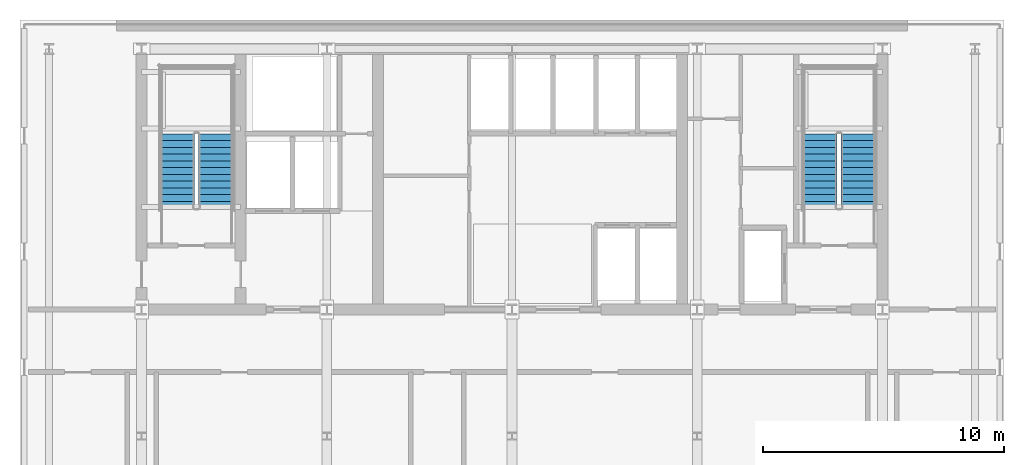
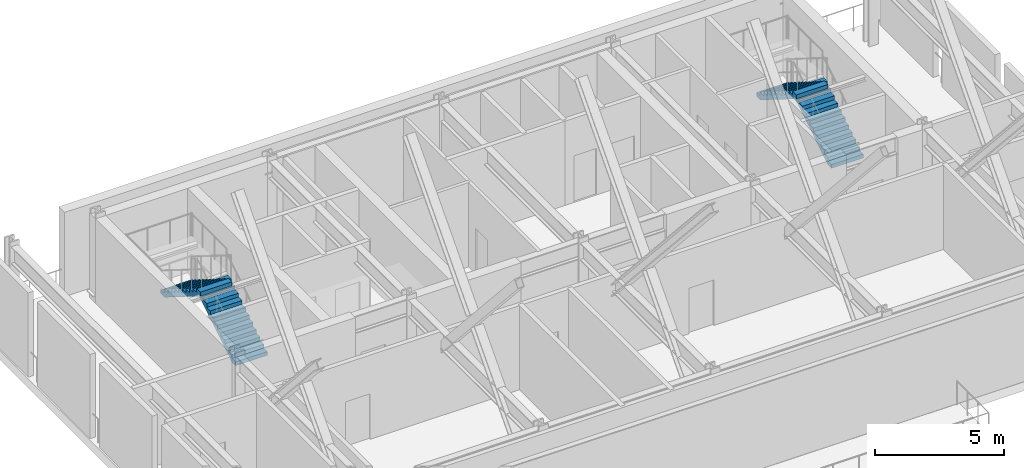
# One storey, part 4 of 8: 4 stair flights, 2 elements without a shape of their own.
"""IFC4 building model written with IfcOpenShell, lengths in metres."""

from ifc_helpers import new_model, si_unit, direction, frame, origin, place, context, subcontext, project, spatial, polyline, outline, extrude, material, type_object, element, aggregate, save


model = new_model("IFC4")

# Units and contexts
model_context = context("Model", 3, precision=1e-05, world=origin(), true_north=direction((0.0, 1.0)))
body_context = subcontext(model_context, "Body", "Model", "MODEL_VIEW")
ifc_project = project(units=[si_unit("LENGTHUNIT", "METRE"), si_unit("AREAUNIT", "SQUARE_METRE"), si_unit("VOLUMEUNIT", "CUBIC_METRE"), si_unit("PLANEANGLEUNIT", "RADIAN"), si_unit("MASSUNIT", "GRAM", prefix="KILO")], contexts=[model_context])

# Site, building, storey
site_placement = place(None, origin())
site = spatial("IfcSite", under=ifc_project, at=site_placement, CompositionType="ELEMENT")
building_placement = place(site_placement, origin())
building = spatial("IfcBuilding", under=site, at=building_placement, Name="Yelkora Congress Tower", CompositionType="ELEMENT")
storey_placement = place(building_placement, frame((0.0, 0.0, 191.89990234375)))
storey = spatial("IfcBuildingStorey", under=building, at=storey_placement, Name="L53", CompositionType="ELEMENT", Elevation=191.89990234375)

# Stair, stair flights
ifc_material = material(Name="Concrete C40/50", Category="concrete")
stair_type = type_object("IfcStairType", Name="STAIR-HT-1420-R24-175", PredefinedType="HALF_TURN_STAIR", material=ifc_material)
stair_1_placement = place(storey_placement, origin())
stair_1 = element("IfcStair", 1, at=stair_1_placement, inside=storey, type_object=stair_type, Name="West Core Protected Exit Stair ST-01 (L53)", PredefinedType="HALF_TURN_STAIR")
stair_flight_type = type_object("IfcStairFlightType", Name="FLIGHT-1420-N12-R175-G280", PredefinedType="STRAIGHT", material=ifc_material)
stair_flight_1_placement = place(storey_placement, frame((26.110107421875, 39.60009765625, 0.0), z_axis=(0.0, 0.0, 1.0), x_axis=(0.0, 1.0, 0.0)))
stair_flight_1 = element("IfcStairFlight", 2, at=stair_flight_1_placement, type_object=stair_flight_type, Name="ST-01 L53 Flight 1", NumberOfRisers=12, NumberOfTreads=11, PredefinedType="STRAIGHT", RiserHeight=0.175, TreadLength=0.28, context=body_context, shape_type="SweptSolid", body=[
    extrude(outline(polyline([(0.0, 0.0), (0.0, 0.175048828125), (0.280029296875, 0.175048828125), (0.280029296875, 0.35009765625), (0.56005859375, 0.35009765625), (0.56005859375, 0.52490234375), (0.840087890625, 0.52490234375), (0.840087890625, 0.699951171875), (1.1201171875, 0.699951171875), (1.1201171875, 0.875), (1.39990234375, 0.875), (1.39990234375, 1.050048828125), (1.679931640625, 1.050048828125), (1.679931640625, 1.22509765625), (1.9599609375, 1.22509765625), (1.9599609375, 1.39990234375), (2.239990234375, 1.39990234375), (2.239990234375, 1.574951171875), (2.52001953125, 1.574951171875), (2.52001953125, 1.75), (2.800048828125, 1.75), (2.800048828125, 1.925048828125), (3.080078125, 1.925048828125), (3.080078125, 2.10009765625), (3.080078125, 1.736328125), (0.3017578125, 0.0), (0.0, 0.0)])), frame((0.0, 0.7099609375, 0.0), z_axis=(0.0, -1.0, 0.0), x_axis=(1.0, 0.0, 0.0)), (0.0, 0.0, 1.0), 1.419921875),
])
stair_flight_2_placement = place(storey_placement, frame((24.530029296875, 42.679931640625, 2.10009765625), z_axis=(0.0, 0.0, 1.0), x_axis=(0.0, -1.0, 0.0)))
stair_flight_2 = element("IfcStairFlight", 3, at=stair_flight_2_placement, type_object=stair_flight_type, Name="ST-01 L53 Flight 2", NumberOfRisers=12, NumberOfTreads=11, PredefinedType="STRAIGHT", RiserHeight=0.175, TreadLength=0.28, context=body_context, shape_type="SweptSolid", body=[
    extrude(outline(polyline([(0.0, 0.0), (0.0, 0.175048828125), (0.280029296875, 0.175048828125), (0.280029296875, 0.35009765625), (0.56005859375, 0.35009765625), (0.56005859375, 0.52490234375), (0.840087890625, 0.52490234375), (0.840087890625, 0.699951171875), (1.1201171875, 0.699951171875), (1.1201171875, 0.875), (1.39990234375, 0.875), (1.39990234375, 1.050048828125), (1.679931640625, 1.050048828125), (1.679931640625, 1.22509765625), (1.9599609375, 1.22509765625), (1.9599609375, 1.39990234375), (2.239990234375, 1.39990234375), (2.239990234375, 1.574951171875), (2.52001953125, 1.574951171875), (2.52001953125, 1.75), (2.800048828125, 1.75), (2.800048828125, 1.925048828125), (3.080078125, 1.925048828125), (3.080078125, 2.10009765625), (3.080078125, 1.736328125), (0.3017578125, 0.0), (0.0, 0.0)])), frame((0.0, 0.7099609375, 0.0), z_axis=(0.0, -1.0, 0.0), x_axis=(1.0, 0.0, 0.0)), (0.0, 0.0, 1.0), 1.419921875),
])
aggregate(stair_1, [stair_flight_1, stair_flight_2])

stair_2_placement = place(storey_placement, origin())
stair_2 = element("IfcStair", 4, at=stair_2_placement, inside=storey, type_object=stair_type, Name="East Core Protected Exit Stair ST-02 (L53)", PredefinedType="HALF_TURN_STAIR")
stair_flight_3_placement = place(storey_placement, frame((52.75, 39.60009765625, 0.0), z_axis=(0.0, 0.0, 1.0), x_axis=(0.0, 1.0, 0.0)))
stair_flight_3 = element("IfcStairFlight", 5, at=stair_flight_3_placement, type_object=stair_flight_type, Name="ST-02 L53 Flight 1", NumberOfRisers=12, NumberOfTreads=11, PredefinedType="STRAIGHT", RiserHeight=0.175, TreadLength=0.28, context=body_context, shape_type="SweptSolid", body=[
    extrude(outline(polyline([(0.0, 0.0), (0.0, 0.175048828125), (0.280029296875, 0.175048828125), (0.280029296875, 0.35009765625), (0.56005859375, 0.35009765625), (0.56005859375, 0.52490234375), (0.840087890625, 0.52490234375), (0.840087890625, 0.699951171875), (1.1201171875, 0.699951171875), (1.1201171875, 0.875), (1.39990234375, 0.875), (1.39990234375, 1.050048828125), (1.679931640625, 1.050048828125), (1.679931640625, 1.22509765625), (1.9599609375, 1.22509765625), (1.9599609375, 1.39990234375), (2.239990234375, 1.39990234375), (2.239990234375, 1.574951171875), (2.52001953125, 1.574951171875), (2.52001953125, 1.75), (2.800048828125, 1.75), (2.800048828125, 1.925048828125), (3.080078125, 1.925048828125), (3.080078125, 2.10009765625), (3.080078125, 1.736328125), (0.3017578125, 0.0), (0.0, 0.0)])), frame((0.0, 0.7099609375, 0.0), z_axis=(0.0, -1.0, 0.0), x_axis=(1.0, 0.0, 0.0)), (0.0, 0.0, 1.0), 1.419921875),
])
stair_flight_4_placement = place(storey_placement, frame((51.169921875, 42.679931640625, 2.10009765625), z_axis=(0.0, 0.0, 1.0), x_axis=(0.0, -1.0, 0.0)))
stair_flight_4 = element("IfcStairFlight", 6, at=stair_flight_4_placement, type_object=stair_flight_type, Name="ST-02 L53 Flight 2", NumberOfRisers=12, NumberOfTreads=11, PredefinedType="STRAIGHT", RiserHeight=0.175, TreadLength=0.28, context=body_context, shape_type="SweptSolid", body=[
    extrude(outline(polyline([(0.0, 0.0), (0.0, 0.175048828125), (0.280029296875, 0.175048828125), (0.280029296875, 0.35009765625), (0.56005859375, 0.35009765625), (0.56005859375, 0.52490234375), (0.840087890625, 0.52490234375), (0.840087890625, 0.699951171875), (1.1201171875, 0.699951171875), (1.1201171875, 0.875), (1.39990234375, 0.875), (1.39990234375, 1.050048828125), (1.679931640625, 1.050048828125), (1.679931640625, 1.22509765625), (1.9599609375, 1.22509765625), (1.9599609375, 1.39990234375), (2.239990234375, 1.39990234375), (2.239990234375, 1.574951171875), (2.52001953125, 1.574951171875), (2.52001953125, 1.75), (2.800048828125, 1.75), (2.800048828125, 1.925048828125), (3.080078125, 1.925048828125), (3.080078125, 2.10009765625), (3.080078125, 1.736328125), (0.3017578125, 0.0), (0.0, 0.0)])), frame((0.0, 0.7099609375, 0.0), z_axis=(0.0, -1.0, 0.0), x_axis=(1.0, 0.0, 0.0)), (0.0, 0.0, 1.0), 1.419921875),
])
aggregate(stair_2, [stair_flight_3, stair_flight_4])

save(model, "model.ifc")
